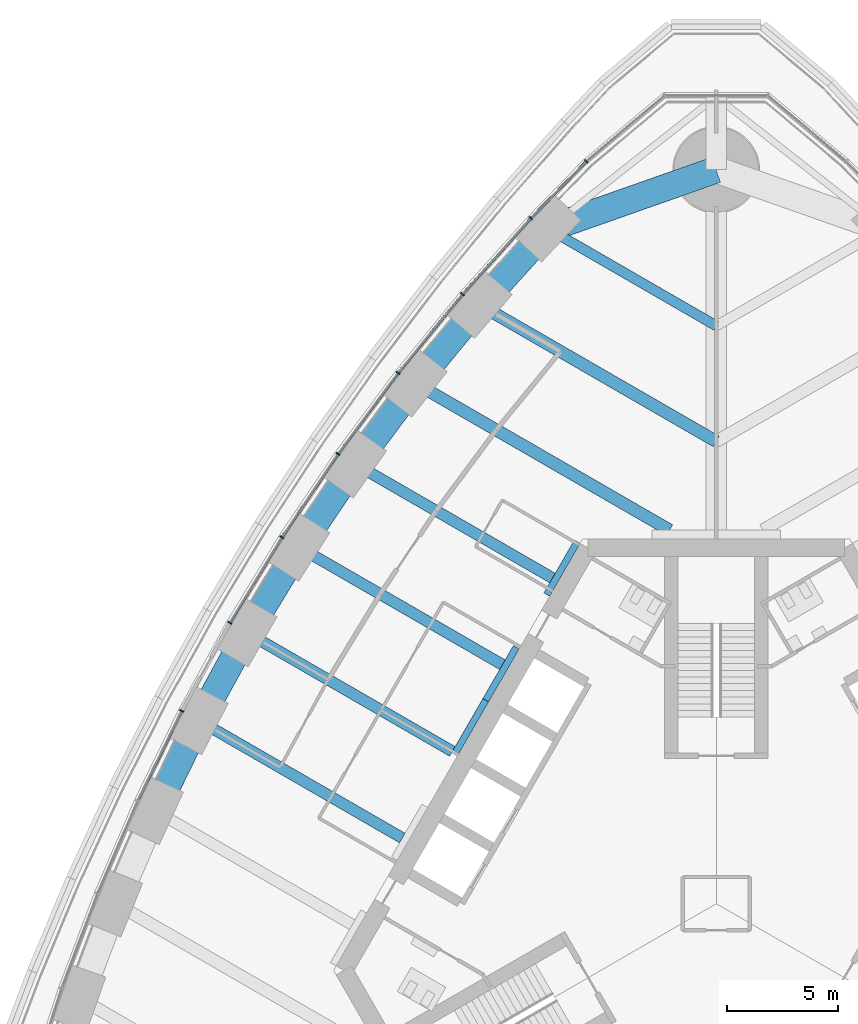
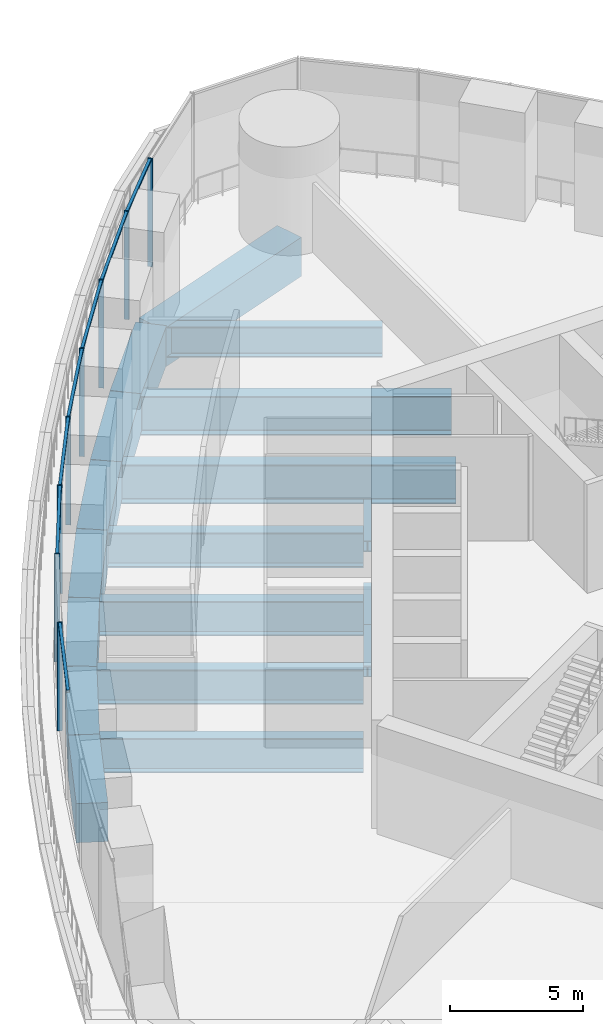
# One storey, part 6 of 31: 18 beams, 15 members, 3 elements without a shape of their own.
"""IFC4 building model written with IfcOpenShell, lengths in metres."""

from ifc_helpers import new_model, si_unit, direction, frame, origin, origin_2d, place, context, subcontext, project, spatial, rectangle, i_section, extrude, material, material_profile, profile_set, type_object, element, aggregate, save


model = new_model("IFC4")

# Units and contexts
model_context = context("Model", 3, precision=1e-05, world=origin(), true_north=direction((0.0, 1.0)))
body_context = subcontext(model_context, "Body", "Model", "MODEL_VIEW")
ifc_project = project(units=[si_unit("LENGTHUNIT", "METRE"), si_unit("AREAUNIT", "SQUARE_METRE"), si_unit("VOLUMEUNIT", "CUBIC_METRE"), si_unit("PLANEANGLEUNIT", "RADIAN"), si_unit("MASSUNIT", "GRAM", prefix="KILO")], contexts=[model_context])

# Site, building, storey
site_placement = place(None, origin())
site = spatial("IfcSite", under=ifc_project, at=site_placement, CompositionType="ELEMENT")
building_placement = place(site_placement, origin())
building = spatial("IfcBuilding", under=site, at=building_placement, Name="Trefoil Bronze Tower", CompositionType="ELEMENT")
storey_placement = place(building_placement, frame((0.0, 0.0, 184.699951171875)))
storey = spatial("IfcBuildingStorey", under=building, at=storey_placement, Name="L42", CompositionType="ELEMENT", Elevation=184.699951171875)

# Curtain wall, member
ifc_material_1 = material(Name="Tinted solar-control glass", Category="glass")
curtain_wall_type_1 = type_object("IfcCurtainWallType", Name="Bronze rounded corner curtain wall", PredefinedType="USERDEFINED", material=ifc_material_1)
curtain_wall_1_placement = place(storey_placement, origin())
curtain_wall_1 = element("IfcCurtainWall", 1, at=curtain_wall_1_placement, inside=storey, type_object=curtain_wall_type_1, Name="CW-B L42 K2", ObjectType="CURTAIN WALL", PredefinedType="USERDEFINED")
ifc_material_2 = material(Name="Bronze-finish aluminium", Category="aluminium")
ifc_material_profile_1 = material_profile(ifc_material_2, rectangle(XDim=0.199951171875, YDim=0.06005859375, at=origin_2d()), Name="CW-B mullion")
ifc_profile_set_1 = profile_set([ifc_material_profile_1], Name="Bronze-finish aluminium")
member_type_1 = type_object("IfcMemberType", Name="Bronze rounded corner curtain wall mullion", PredefinedType="MULLION", material=ifc_profile_set_1)
member_1_placement = place(storey_placement, frame((-5.837890625, 33.3779296875, 0.0), z_axis=(0.0, 0.0, 1.0), x_axis=(0.642787609687, -0.766044443119, 0.0)))
member_1 = element("IfcMember", 2, at=member_1_placement, type_object=member_type_1, Name="CW-B L42 K2 mullion 4", PredefinedType="MULLION", context=body_context, shape_type="SweptSolid", body=[
    extrude(rectangle(XDim=0.199951171875, YDim=0.06005859375, at=origin_2d()), origin(), (0.0, 0.0, 1.0), 4.97998046875),
])
aggregate(curtain_wall_1, [member_1])

# Curtain wall, members
ifc_material_3 = material(Name="Tinted solar-control glass", Category="glass")
curtain_wall_type_2 = type_object("IfcCurtainWallType", Name="Bronze sky lobby curtain wall", PredefinedType="USERDEFINED", material=ifc_material_3)
curtain_wall_2_placement = place(storey_placement, origin())
curtain_wall_2 = element("IfcCurtainWall", 3, at=curtain_wall_2_placement, inside=storey, type_object=curtain_wall_type_2, Name="CW-D L42 F3 run 1", ObjectType="CURTAIN WALL", PredefinedType="USERDEFINED")
ifc_material_4 = material(Name="Bronze-finish aluminium", Category="aluminium")
ifc_material_profile_2 = material_profile(ifc_material_4, rectangle(XDim=0.199951171875, YDim=0.06005859375, at=origin_2d()), Name="CW-D mullion")
ifc_profile_set_2 = profile_set([ifc_material_profile_2], Name="Bronze-finish aluminium")
member_type_2 = type_object("IfcMemberType", Name="Bronze sky lobby curtain wall mullion", PredefinedType="MULLION", material=ifc_profile_set_2)
member_2_placement = place(storey_placement, frame((-8.336181640625, 30.81982421875, 0.0), z_axis=(0.0, 0.0, 1.0), x_axis=(0.729859580661, -0.683597098091, 0.0)))
member_2 = element("IfcMember", 4, at=member_2_placement, type_object=member_type_2, Name="CW-D L42 F3 run 1 mullion 2", PredefinedType="MULLION", context=body_context, shape_type="SweptSolid", body=[
    extrude(rectangle(XDim=0.199951171875, YDim=0.06005859375, at=origin_2d()), origin(), (0.0, 0.0, 1.0), 4.97998046875),
])
member_3_placement = place(storey_placement, frame((-11.412841796875, 27.39501953125, 0.0), z_axis=(0.0, 0.0, 1.0), x_axis=(0.75935470958, -0.650676897576, 0.0)))
member_3 = element("IfcMember", 5, at=member_3_placement, type_object=member_type_2, Name="CW-D L42 F3 run 1 mullion 3", PredefinedType="MULLION", context=body_context, shape_type="SweptSolid", body=[
    extrude(rectangle(XDim=0.199951171875, YDim=0.06005859375, at=origin_2d()), origin(), (0.0, 0.0, 1.0), 4.97998046875),
])
member_4_placement = place(storey_placement, frame((-14.300537109375, 23.86083984375, 0.0), z_axis=(0.0, 0.0, 1.0), x_axis=(0.788821461078, -0.614622406476, 0.0)))
member_4 = element("IfcMember", 6, at=member_4_placement, type_object=member_type_2, Name="CW-D L42 F3 run 1 mullion 4", PredefinedType="MULLION", context=body_context, shape_type="SweptSolid", body=[
    extrude(rectangle(XDim=0.199951171875, YDim=0.06005859375, at=origin_2d()), origin(), (0.0, 0.0, 1.0), 4.97998046875),
])
member_5_placement = place(storey_placement, frame((-17.00390625, 20.22021484375, 0.0), z_axis=(0.0, 0.0, 1.0), x_axis=(0.81640398396, -0.577481198806, 0.0)))
member_5 = element("IfcMember", 7, at=member_5_placement, type_object=member_type_2, Name="CW-D L42 F3 run 1 mullion 5", PredefinedType="MULLION", context=body_context, shape_type="SweptSolid", body=[
    extrude(rectangle(XDim=0.199951171875, YDim=0.06005859375, at=origin_2d()), origin(), (0.0, 0.0, 1.0), 4.97998046875),
])
member_6_placement = place(storey_placement, frame((-19.525634765625, 16.474609375, 0.0), z_axis=(0.0, 0.0, 1.0), x_axis=(0.842132664593, -0.539270410114, 0.0)))
member_6 = element("IfcMember", 8, at=member_6_placement, type_object=member_type_2, Name="CW-D L42 F3 run 1 mullion 6", PredefinedType="MULLION", context=body_context, shape_type="SweptSolid", body=[
    extrude(rectangle(XDim=0.199951171875, YDim=0.06005859375, at=origin_2d()), origin(), (0.0, 0.0, 1.0), 4.97998046875),
])
member_7_placement = place(storey_placement, frame((-21.866455078125, 12.627197265625, 0.0), z_axis=(0.0, 0.0, 1.0), x_axis=(0.854311035959, -0.519762112739, 0.0)))
member_7 = element("IfcMember", 9, at=member_7_placement, type_object=member_type_2, Name="CW-D L42 F3 run 1 mullion 7", PredefinedType="MULLION", context=body_context, shape_type="SweptSolid", body=[
    extrude(rectangle(XDim=0.199951171875, YDim=0.06005859375, at=origin_2d()), origin(), (0.0, 0.0, 1.0), 4.97998046875),
])

# Curtain wall, member
curtain_wall_3_placement = place(storey_placement, origin())
curtain_wall_3 = element("IfcCurtainWall", 10, at=curtain_wall_3_placement, inside=storey, type_object=curtain_wall_type_2, Name="CW-D L42 F3 run 3", ObjectType="CURTAIN WALL", PredefinedType="USERDEFINED")
member_8_placement = place(storey_placement, frame((-24.031494140625, 8.67041015625, 0.0), z_axis=(0.0, 0.0, 1.0), x_axis=(0.898424004623, -0.439129033334, 0.0)))
member_8 = element("IfcMember", 11, at=member_8_placement, type_object=member_type_2, Name="CW-D L42 F3 run 3 mullion 1", PredefinedType="MULLION", context=body_context, shape_type="SweptSolid", body=[
    extrude(rectangle(XDim=0.199951171875, YDim=0.06005859375, at=origin_2d()), origin(), (0.0, 0.0, 1.0), 4.97998046875),
])

# Member
ifc_material_5 = material(Name="Bronze-finish aluminium", Category="aluminium")
ifc_material_profile_3 = material_profile(ifc_material_5, rectangle(XDim=0.1201171875, YDim=0.10009765625, at=origin_2d()), Name="CW-D transom")
ifc_profile_set_3 = profile_set([ifc_material_profile_3], Name="Bronze-finish aluminium")
member_type_3 = type_object("IfcMemberType", Name="Bronze sky lobby curtain wall transom", PredefinedType="USERDEFINED", material=ifc_profile_set_3)
member_9_placement = place(storey_placement, frame((-5.865966796875, 33.349609375, 4.929931640625), z_axis=(-0.698695569069, -0.715419109168, 0.0), x_axis=(0.715419109168, -0.698695569069, 0.0)))
member_9 = element("IfcMember", 12, at=member_9_placement, type_object=member_type_3, Name="CW-D L42 F3 run 1 transom 1", ObjectType="TRANSOM", PredefinedType="USERDEFINED", context=body_context, shape_type="SweptSolid", body=[
    extrude(rectangle(XDim=0.1201171875, YDim=0.10009765625, at=origin_2d()), origin(), (0.0, 0.0, 1.0), 3.503662109375),
])

member_10_placement = place(storey_placement, frame((-8.357666015625, 30.796142578125, 4.929931640625), z_axis=(-0.668230486296, -0.743954311222, 0.0), x_axis=(0.743954311222, -0.668230486296, 0.0)))
member_10 = element("IfcMember", 13, at=member_10_placement, type_object=member_type_3, Name="CW-D L42 F3 run 1 transom 2", ObjectType="TRANSOM", PredefinedType="USERDEFINED", context=body_context, shape_type="SweptSolid", body=[
    extrude(rectangle(XDim=0.1201171875, YDim=0.10009765625, at=origin_2d()), origin(), (0.0, 0.0, 1.0), 4.53955078125),
])

member_11_placement = place(storey_placement, frame((-11.43310546875, 27.369873046875, 4.929931640625), z_axis=(-0.632800371808, -0.774314980767, 0.0), x_axis=(0.774314980767, -0.632800371808, 0.0)))
member_11 = element("IfcMember", 14, at=member_11_placement, type_object=member_type_3, Name="CW-D L42 F3 run 1 transom 3", ObjectType="TRANSOM", PredefinedType="USERDEFINED", context=body_context, shape_type="SweptSolid", body=[
    extrude(rectangle(XDim=0.1201171875, YDim=0.10009765625, at=origin_2d()), origin(), (0.0, 0.0, 1.0), 4.499267578125),
])

member_12_placement = place(storey_placement, frame((-14.31982421875, 23.8349609375, 4.929931640625), z_axis=(-0.596148010647, -0.802874553963, 0.0), x_axis=(0.802874553963, -0.596148010647, 0.0)))
member_12 = element("IfcMember", 15, at=member_12_placement, type_object=member_type_3, Name="CW-D L42 F3 run 1 transom 4", ObjectType="TRANSOM", PredefinedType="USERDEFINED", context=body_context, shape_type="SweptSolid", body=[
    extrude(rectangle(XDim=0.1201171875, YDim=0.10009765625, at=origin_2d()), origin(), (0.0, 0.0, 1.0), 4.469970703125),
])

member_13_placement = place(storey_placement, frame((-17.02197265625, 20.193359375, 4.929931640625), z_axis=(-0.558517200702, -0.829492939404, 0.0), x_axis=(0.829492939404, -0.558517200702, 0.0)))
member_13 = element("IfcMember", 16, at=member_13_placement, type_object=member_type_3, Name="CW-D L42 F3 run 1 transom 5", ObjectType="TRANSOM", PredefinedType="USERDEFINED", context=body_context, shape_type="SweptSolid", body=[
    extrude(rectangle(XDim=0.1201171875, YDim=0.10009765625, at=origin_2d()), origin(), (0.0, 0.0, 1.0), 4.45068359375),
])

member_14_placement = place(storey_placement, frame((-19.54248046875, 16.447021484375, 4.929931640625), z_axis=(-0.519756845885, -0.854314240286, 0.0), x_axis=(0.854314240286, -0.519756845885, 0.0)))
member_14 = element("IfcMember", 17, at=member_14_placement, type_object=member_type_3, Name="CW-D L42 F3 run 1 transom 6", ObjectType="TRANSOM", PredefinedType="USERDEFINED", context=body_context, shape_type="SweptSolid", body=[
    extrude(rectangle(XDim=0.1201171875, YDim=0.10009765625, at=origin_2d()), origin(), (0.0, 0.0, 1.0), 4.441162109375),
])

aggregate(curtain_wall_2, [member_2, member_3, member_4, member_5, member_6, member_7, member_9, member_10, member_11, member_12, member_13, member_14])

member_15_placement = place(storey_placement, frame((-24.044677734375, 8.6435546875, 4.929931640625), z_axis=(-0.43909895768, -0.898438704289, 0.0), x_axis=(0.898438704289, -0.43909895768, 0.0)))
member_15 = element("IfcMember", 18, at=member_15_placement, type_object=member_type_3, Name="CW-D L42 F3 run 3 transom 1", ObjectType="TRANSOM", PredefinedType="USERDEFINED", context=body_context, shape_type="SweptSolid", body=[
    extrude(rectangle(XDim=0.1201171875, YDim=0.10009765625, at=origin_2d()), origin(), (0.0, 0.0, 1.0), 4.450927734375),
])

aggregate(curtain_wall_3, [member_8, member_15])

# Beams
ifc_material_6 = material(Name="Steel C355", Category="steel")
ifc_material_profile_4 = material_profile(ifc_material_6, i_section(OverallWidth=0.300048828125, OverallDepth=0.5, WebThickness=0.014404296875, FlangeThickness=0.028076171875, FilletRadius=0.027099609375, at=origin_2d()), Name="HEB 500")
ifc_profile_set_4 = profile_set([ifc_material_profile_4], Name="Steel C355")
beam_type_1 = type_object("IfcBeamType", Name="Core seat beam HEB 500", PredefinedType="BEAM", material=ifc_profile_set_4)
for number, where, z_axis, x_axis, name in (
    (19, (-6.249755859375, 16.27490234375, -0.449951171875), (-0.500035825175, -0.866004719122, 0.0), (0.866004719122, -0.500035825175, 0.0), "Core seat beam F3/-2 L42"),
    (20, (-8.9921875, 11.52490234375, -0.449951171875), (-0.500035825175, -0.866004719122, 0.0), (0.866004719122, -0.500035825175, 0.0), "Core seat beam F3/-1 L42"),
    (21, (-10.363525390625, 9.14990234375, -0.449951171875), (-0.499969057507, -0.866043267704, 0.0), (0.866043267704, -0.499969057507, 0.0), "Core seat beam F3/+0 L42"),
):
    element("IfcBeam", number, at=place(storey_placement, frame(where, z_axis=z_axis, x_axis=x_axis)), inside=storey, type_object=beam_type_1, Name=name, PredefinedType="BEAM", context=body_context, shape_type="SweptSolid", body=[
        extrude(i_section(OverallWidth=0.300048828125, OverallDepth=0.5, WebThickness=0.014404296875, FlangeThickness=0.028076171875, FilletRadius=0.027099609375, at=origin_2d()), origin(), (0.0, 0.0, 1.0), 2.742431640625),
    ])
ifc_material_7 = material(Name="Concrete B80", Category="concrete")
ifc_material_profile_5 = material_profile(ifc_material_7, rectangle(XDim=1.199951171875, YDim=1.800048828125, at=origin_2d()), Name="RC 1200x1800")
ifc_profile_set_5 = profile_set([ifc_material_profile_5], Name="Concrete B80")
beam_type_2 = type_object("IfcBeamType", Name="End spandrel beam RC 1200x1800", PredefinedType="SPANDREL", material=ifc_profile_set_5)
beam_1_placement = place(storey_placement, frame((0.0, 33.0, -1.099853515625), z_axis=(-0.943234397359, -0.332127794137, 0.0), x_axis=(0.332127794137, -0.943234397359, 0.0)))
element("IfcBeam", 22, at=beam_1_placement, inside=storey, type_object=beam_type_2, Name="Spandrel F3.1 L42", PredefinedType="SPANDREL", context=body_context, shape_type="SweptSolid", body=[
    extrude(rectangle(XDim=1.199951171875, YDim=1.800048828125, at=origin_2d()), origin(), (0.0, 0.0, 1.0), 8.006591796875),
])
ifc_material_8 = material(Name="Steel C355", Category="steel")
ifc_material_profile_6 = material_profile(ifc_material_8, i_section(OverallWidth=0.449951171875, OverallDepth=1.39990234375, WebThickness=0.02294921875, FlangeThickness=0.044921875, FilletRadius=0.011962890625, at=origin_2d()), Name="WPG 1400")
ifc_profile_set_6 = profile_set([ifc_material_profile_6], Name="Steel C355")
beam_type_3 = type_object("IfcBeamType", Name="Floor beam WPG 1400", PredefinedType="BEAM", material=ifc_profile_set_6)
beam_2_placement = place(storey_placement, frame((-7.552001953125, 30.3408203125, -0.89990234375), z_axis=(0.866027535932, -0.499996306993, 0.0), x_axis=(0.499996306993, 0.866027535932, 0.0)))
element("IfcBeam", 23, at=beam_2_placement, inside=storey, type_object=beam_type_3, Name="Floor beam F3/-5 L42", PredefinedType="BEAM", context=body_context, shape_type="SweptSolid", body=[
    extrude(i_section(OverallWidth=0.449951171875, OverallDepth=1.39990234375, WebThickness=0.02294921875, FlangeThickness=0.044921875, FilletRadius=0.011962890625, at=origin_2d()), origin(), (0.0, 0.0, 1.0), 8.72021484375),
])
ifc_material_9 = material(Name="Steel C355", Category="steel")
ifc_material_profile_7 = material_profile(ifc_material_9, i_section(OverallWidth=0.5, OverallDepth=1.60009765625, WebThickness=0.02587890625, FlangeThickness=0.050048828125, FilletRadius=0.011962890625, at=origin_2d()), Name="WPG 1600")
ifc_profile_set_7 = profile_set([ifc_material_profile_7], Name="Steel C355")
beam_type_4 = type_object("IfcBeamType", Name="Floor beam WPG 1600", PredefinedType="BEAM", material=ifc_profile_set_7)
beam_3_placement = place(storey_placement, frame((-16.2265625, 19.7607421875, -1.0), z_axis=(0.866027856548, -0.499995751665, 0.0), x_axis=(0.499995751665, 0.866027856548, 0.0)))
element("IfcBeam", 24, at=beam_3_placement, inside=storey, type_object=beam_type_4, Name="Floor beam F3/-2 L42", PredefinedType="BEAM", context=body_context, shape_type="SweptSolid", body=[
    extrude(i_section(OverallWidth=0.5, OverallDepth=1.60009765625, WebThickness=0.02587890625, FlangeThickness=0.050048828125, FilletRadius=0.011962890625, at=origin_2d()), origin(), (0.0, 0.0, 1.0), 10.23291015625),
])
beam_4_placement = place(storey_placement, frame((-18.748046875, 16.020263671875, -1.0), z_axis=(0.866027918957, -0.499995643569, 0.0), x_axis=(0.499995643569, 0.866027918957, 0.0)))
element("IfcBeam", 25, at=beam_4_placement, inside=storey, type_object=beam_type_4, Name="Floor beam F3/-1 L42", PredefinedType="BEAM", context=body_context, shape_type="SweptSolid", body=[
    extrude(i_section(OverallWidth=0.5, OverallDepth=1.60009765625, WebThickness=0.02587890625, FlangeThickness=0.050048828125, FilletRadius=0.011962890625, at=origin_2d()), origin(), (0.0, 0.0, 1.0), 10.54638671875),
])
beam_5_placement = place(storey_placement, frame((-21.08837890625, 12.17529296875, -1.0), z_axis=(0.866034044198, -0.499985034066, 0.0), x_axis=(0.499985034066, 0.866034044198, 0.0)))
element("IfcBeam", 26, at=beam_5_placement, inside=storey, type_object=beam_type_4, Name="Floor beam F3/+0 L42", PredefinedType="BEAM", context=body_context, shape_type="SweptSolid", body=[
    extrude(i_section(OverallWidth=0.5, OverallDepth=1.60009765625, WebThickness=0.02587890625, FlangeThickness=0.050048828125, FilletRadius=0.011962890625, at=origin_2d()), origin(), (0.0, 0.0, 1.0), 10.650634765625),
])
beam_6_placement = place(storey_placement, frame((-23.248046875, 8.22607421875, -1.0), z_axis=(0.866027918957, -0.499995643569, 0.0), x_axis=(0.499995643569, 0.866027918957, 0.0)))
element("IfcBeam", 27, at=beam_6_placement, inside=storey, type_object=beam_type_4, Name="Floor beam F3/+1 L42", PredefinedType="BEAM", context=body_context, shape_type="SweptSolid", body=[
    extrude(i_section(OverallWidth=0.5, OverallDepth=1.60009765625, WebThickness=0.02587890625, FlangeThickness=0.050048828125, FilletRadius=0.011962890625, at=origin_2d()), origin(), (0.0, 0.0, 1.0), 10.54638671875),
])
ifc_material_10 = material(Name="Steel C355", Category="steel")
ifc_material_profile_8 = material_profile(ifc_material_10, i_section(OverallWidth=0.550048828125, OverallDepth=1.800048828125, WebThickness=0.029052734375, FlangeThickness=0.054931640625, FilletRadius=0.013916015625, at=origin_2d()), Name="WPG 1800")
ifc_profile_set_8 = profile_set([ifc_material_profile_8], Name="Steel C355")
beam_type_5 = type_object("IfcBeamType", Name="Floor beam WPG 1800", PredefinedType="BEAM", material=ifc_profile_set_8)
beam_7_placement = place(storey_placement, frame((-10.632080078125, 26.923095703125, -1.099853515625), z_axis=(0.866025635187, -0.499999599199, 0.0), x_axis=(0.499999599199, 0.866025635187, 0.0)))
element("IfcBeam", 28, at=beam_7_placement, inside=storey, type_object=beam_type_5, Name="Floor beam F3/-4 L42", PredefinedType="BEAM", context=body_context, shape_type="SweptSolid", body=[
    extrude(i_section(OverallWidth=0.550048828125, OverallDepth=1.800048828125, WebThickness=0.029052734375, FlangeThickness=0.054931640625, FilletRadius=0.013916015625, at=origin_2d()), origin(), (0.0, 0.0, 1.0), 12.27685546875),
])
beam_8_placement = place(storey_placement, frame((-13.522216796875, 23.3955078125, -1.099853515625), z_axis=(0.866028399451, -0.499994811317, 0.0), x_axis=(0.499994811317, 0.866028399451, 0.0)))
element("IfcBeam", 29, at=beam_8_placement, inside=storey, type_object=beam_type_5, Name="Floor beam F3/-3 L42", PredefinedType="BEAM", context=body_context, shape_type="SweptSolid", body=[
    extrude(i_section(OverallWidth=0.550048828125, OverallDepth=1.800048828125, WebThickness=0.029052734375, FlangeThickness=0.054931640625, FilletRadius=0.013916015625, at=origin_2d()), origin(), (0.0, 0.0, 1.0), 13.191162109375),
])
ifc_material_11 = material(Name="Concrete B80", Category="concrete")
ifc_material_profile_9 = material_profile(ifc_material_11, rectangle(XDim=1.199951171875, YDim=1.800048828125, at=origin_2d()), Name="RC 1200x1800")
ifc_profile_set_9 = profile_set([ifc_material_profile_9], Name="Concrete B80")
beam_type_6 = type_object("IfcBeamType", Name="Spandrel beam RC 1200x1800", PredefinedType="SPANDREL", material=ifc_profile_set_9)
beam_9_placement = place(storey_placement, frame((-7.552001953125, 30.3408203125, -1.099853515625), z_axis=(-0.669460045872, -0.742848064534, 0.0), x_axis=(0.742848064534, -0.669460045872, 0.0)))
element("IfcBeam", 30, at=beam_9_placement, inside=storey, type_object=beam_type_6, Name="Spandrel F3.2 L42", PredefinedType="SPANDREL", context=body_context, shape_type="SweptSolid", body=[
    extrude(rectangle(XDim=1.199951171875, YDim=1.800048828125, at=origin_2d()), origin(), (0.0, 0.0, 1.0), 4.600830078125),
])
beam_10_placement = place(storey_placement, frame((-10.632080078125, 26.923095703125, -1.099853515625), z_axis=(-0.633753657863, -0.773534938542, 0.0), x_axis=(0.773534938542, -0.633753657863, 0.0)))
element("IfcBeam", 31, at=beam_10_placement, inside=storey, type_object=beam_type_6, Name="Spandrel F3.3 L42", PredefinedType="SPANDREL", context=body_context, shape_type="SweptSolid", body=[
    extrude(rectangle(XDim=1.199951171875, YDim=1.800048828125, at=origin_2d()), origin(), (0.0, 0.0, 1.0), 4.560302734375),
])
beam_11_placement = place(storey_placement, frame((-13.522216796875, 23.3955078125, -1.099853515625), z_axis=(-0.596926078257, -0.802296240236, 0.0), x_axis=(0.802296240236, -0.596926078257, 0.0)))
element("IfcBeam", 32, at=beam_11_placement, inside=storey, type_object=beam_type_6, Name="Spandrel F3.4 L42", PredefinedType="SPANDREL", context=body_context, shape_type="SweptSolid", body=[
    extrude(rectangle(XDim=1.199951171875, YDim=1.800048828125, at=origin_2d()), origin(), (0.0, 0.0, 1.0), 4.530517578125),
])
beam_12_placement = place(storey_placement, frame((-16.2265625, 19.7607421875, -1.099853515625), z_axis=(-0.558964302753, -0.829191719838, 0.0), x_axis=(0.829191719838, -0.558964302753, 0.0)))
element("IfcBeam", 33, at=beam_12_placement, inside=storey, type_object=beam_type_6, Name="Spandrel F3.5 L42", PredefinedType="SPANDREL", context=body_context, shape_type="SweptSolid", body=[
    extrude(rectangle(XDim=1.199951171875, YDim=1.800048828125, at=origin_2d()), origin(), (0.0, 0.0, 1.0), 4.510986328125),
])
for number, where, z_axis, x_axis, name in (
    (34, (-18.748046875, 16.020263671875, -1.099853515625), (-0.519933181394, -0.854206934464, 0.0), (0.854206934464, -0.519933181394, 0.0), "Spandrel F3.6 L42"),
    (35, (-21.08837890625, 12.17529296875, -1.099853515625), (-0.479801903802, -0.87737684783, 0.0), (0.87737684783, -0.479801903802, 0.0), "Spandrel F3.7 L42"),
):
    element("IfcBeam", number, at=place(storey_placement, frame(where, z_axis=z_axis, x_axis=x_axis)), inside=storey, type_object=beam_type_6, Name=name, PredefinedType="SPANDREL", context=body_context, shape_type="SweptSolid", body=[
        extrude(rectangle(XDim=1.199951171875, YDim=1.800048828125, at=origin_2d()), origin(), (0.0, 0.0, 1.0), 4.501220703125),
    ])
beam_13_placement = place(storey_placement, frame((-23.248046875, 8.22607421875, -1.099853515625), z_axis=(-0.438619830351, -0.898672712629, 0.0), x_axis=(0.898672712629, -0.438619830351, 0.0)))
element("IfcBeam", 36, at=beam_13_placement, inside=storey, type_object=beam_type_6, Name="Spandrel F3.8 L42", PredefinedType="SPANDREL", context=body_context, shape_type="SweptSolid", body=[
    extrude(rectangle(XDim=1.199951171875, YDim=1.800048828125, at=origin_2d()), origin(), (0.0, 0.0, 1.0), 4.5107421875),
])

save(model, "model.ifc")
